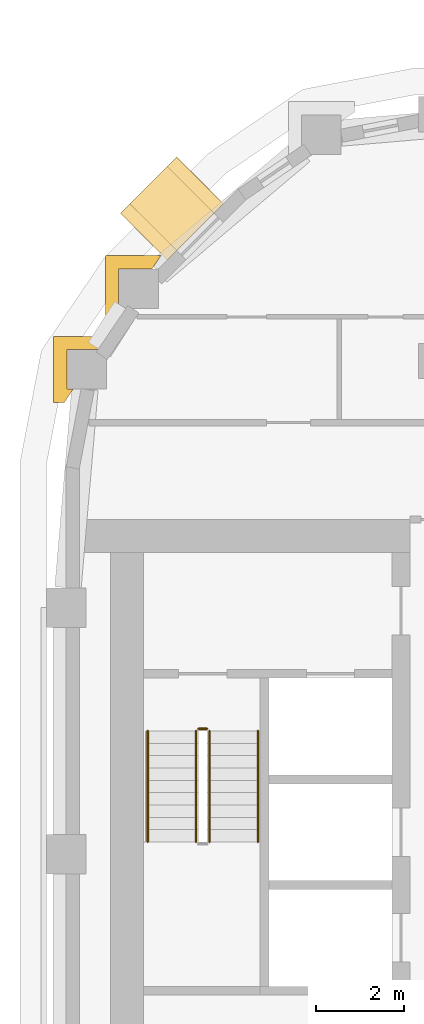
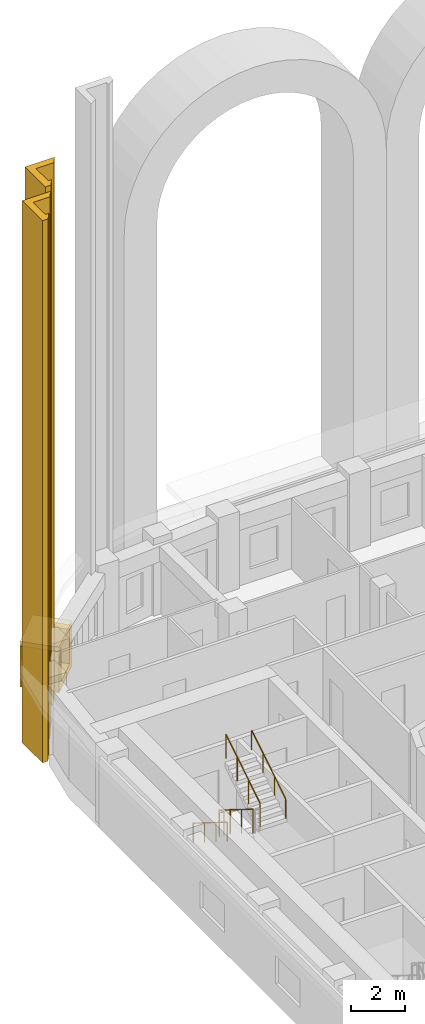
# One storey, part 18 of 20: 5 railings, 4 coverings.
"""IFC4 building model written with IfcOpenShell, lengths in metres."""

from ifc_helpers import new_model, si_unit, direction, frame, origin, origin_2d, place, context, subcontext, project, spatial, polyline, rectangle, circle, outline, extrude, material, layer, layer_set, type_object, element, save


model = new_model("IFC4")

# Units and contexts
model_context = context("Model", 3, precision=1e-05, world=origin(), true_north=direction((0.0, 1.0)))
body_context = subcontext(model_context, "Body", "Model", "MODEL_VIEW")
ifc_project = project(units=[si_unit("LENGTHUNIT", "METRE"), si_unit("AREAUNIT", "SQUARE_METRE"), si_unit("VOLUMEUNIT", "CUBIC_METRE"), si_unit("PLANEANGLEUNIT", "RADIAN"), si_unit("MASSUNIT", "GRAM", prefix="KILO")], contexts=[model_context])

# Site, building, storey
site_placement = place(None, origin())
site = spatial("IfcSite", under=ifc_project, at=site_placement, CompositionType="ELEMENT")
building_placement = place(site_placement, origin())
building = spatial("IfcBuilding", under=site, at=building_placement, Name="Kiln Ring Residences", CompositionType="ELEMENT")
storey_placement = place(building_placement, frame((0.0, 0.0, 188.89990234375)))
storey = spatial("IfcBuildingStorey", under=building, at=storey_placement, Name="L48", CompositionType="ELEMENT", Elevation=188.89990234375)

# Railings
ifc_material_1 = material(Name="Stainless steel", Category="steel")
railing_type_1 = type_object("IfcRailingType", Name="CORE-STAIR-GUARD", PredefinedType="GUARDRAIL", material=ifc_material_1)
railing_1_placement = place(storey_placement, frame((-22.25, 8.39990234375, 0.175048828125)))
element("IfcRailing", 1, at=railing_1_placement, inside=storey, type_object=railing_type_1, Name="L48 W-STN stair guard 1", PredefinedType="GUARDRAIL", context=body_context, shape_type="SweptSolid", body=[
    extrude(circle(Radius=0.02392578125, at=origin_2d()), frame((0.0, 0.0, 1.076171875), z_axis=(0.0, -0.848007534815, 0.529984170421), x_axis=(1.0, 0.0, 0.0)), (0.0, 0.0, 1.0), 2.9716796875),
    extrude(circle(Radius=0.02099609375, at=origin_2d()), origin(), (0.0, 0.0, 1.0), 1.052001953125),
    extrude(circle(Radius=0.02099609375, at=origin_2d()), frame((0.0, -0.840087890625, 0.52490234375)), (0.0, 0.0, 1.0), 1.052001953125),
    extrude(circle(Radius=0.02099609375, at=origin_2d()), frame((0.0, -1.679931640625, 1.050048828125)), (0.0, 0.0, 1.0), 1.052001953125),
    extrude(circle(Radius=0.02099609375, at=origin_2d()), frame((0.0, -2.52001953125, 1.574951171875)), (0.0, 0.0, 1.0), 1.052001953125),
])
railing_2_placement = place(storey_placement, frame((-21.949951171875, 5.8798828125, 1.925048828125)))
element("IfcRailing", 2, at=railing_2_placement, inside=storey, type_object=railing_type_1, Name="L48 W-STN stair guard 3", PredefinedType="GUARDRAIL", context=body_context, shape_type="SweptSolid", body=[
    extrude(circle(Radius=0.02392578125, at=origin_2d()), frame((0.0, 0.0, 1.076171875), z_axis=(0.0, 0.848007534815, 0.529984170421), x_axis=(-1.0, 0.0, 0.0)), (0.0, 0.0, 1.0), 2.9716796875),
    extrude(circle(Radius=0.02099609375, at=origin_2d()), origin(), (0.0, 0.0, 1.0), 1.052001953125),
    extrude(circle(Radius=0.02099609375, at=origin_2d()), frame((0.0, 0.840087890625, 0.52490234375)), (0.0, 0.0, 1.0), 1.052001953125),
    extrude(circle(Radius=0.02099609375, at=origin_2d()), frame((0.0, 1.679931640625, 1.050048828125)), (0.0, 0.0, 1.0), 1.052001953125),
    extrude(circle(Radius=0.02099609375, at=origin_2d()), frame((0.0, 2.52001953125, 1.574951171875)), (0.0, 0.0, 1.0), 1.052001953125),
])
railing_3_placement = place(storey_placement, frame((-22.199951171875, 8.449951171875, 0.0)))
element("IfcRailing", 3, at=railing_3_placement, inside=storey, type_object=railing_type_1, Name="L48 W-STN stair guard 4", PredefinedType="GUARDRAIL", context=body_context, shape_type="SweptSolid", body=[
    extrude(circle(Radius=0.02392578125, at=origin_2d()), frame((0.0, 0.0, 1.076171875), z_axis=(1.0, 0.0, 0.0), x_axis=(0.0, 1.0, 0.0)), (0.0, 0.0, 1.0), 0.199951171875),
    extrude(circle(Radius=0.02099609375, at=origin_2d()), origin(), (0.0, 0.0, 1.0), 1.052001953125),
    extrude(circle(Radius=0.02099609375, at=origin_2d()), frame((0.199951171875, 0.0, 0.0)), (0.0, 0.0, 1.0), 1.052001953125),
])
ifc_material_2 = material(Name="Stainless steel", Category="steel")
railing_type_2 = type_object("IfcRailingType", Name="CORE-STAIR-HANDRAIL", PredefinedType="HANDRAIL", material=ifc_material_2)
railing_4_placement = place(storey_placement, frame((-23.35009765625, 8.39990234375, 0.175048828125)))
element("IfcRailing", 4, at=railing_4_placement, inside=storey, type_object=railing_type_2, Name="L48 W-STN stair handrail 1", PredefinedType="HANDRAIL", context=body_context, shape_type="SweptSolid", body=[
    extrude(circle(Radius=0.02392578125, at=origin_2d()), frame((0.0, 0.0, 0.8759765625), z_axis=(0.0, -0.848007534815, 0.529984170421), x_axis=(1.0, 0.0, 0.0)), (0.0, 0.0, 1.0), 2.9716796875),
    extrude(circle(Radius=0.02099609375, at=origin_2d()), origin(), (0.0, 0.0, 1.0), 0.851806640625),
    extrude(circle(Radius=0.02099609375, at=origin_2d()), frame((0.0, -0.840087890625, 0.52490234375)), (0.0, 0.0, 1.0), 0.851806640625),
    extrude(circle(Radius=0.02099609375, at=origin_2d()), frame((0.0, -1.679931640625, 1.050048828125)), (0.0, 0.0, 1.0), 0.851806640625),
    extrude(circle(Radius=0.02099609375, at=origin_2d()), frame((0.0, -2.52001953125, 1.574951171875)), (0.0, 0.0, 1.0), 0.851806640625),
])
railing_5_placement = place(storey_placement, frame((-20.85009765625, 5.8798828125, 1.925048828125)))
element("IfcRailing", 5, at=railing_5_placement, inside=storey, type_object=railing_type_2, Name="L48 W-STN stair handrail 2", PredefinedType="HANDRAIL", context=body_context, shape_type="SweptSolid", body=[
    extrude(circle(Radius=0.02392578125, at=origin_2d()), frame((0.0, 0.0, 0.8759765625), z_axis=(0.0, 0.848007534815, 0.529984170421), x_axis=(-1.0, 0.0, 0.0)), (0.0, 0.0, 1.0), 2.9716796875),
    extrude(circle(Radius=0.02099609375, at=origin_2d()), origin(), (0.0, 0.0, 1.0), 0.851806640625),
    extrude(circle(Radius=0.02099609375, at=origin_2d()), frame((0.0, 0.840087890625, 0.52490234375)), (0.0, 0.0, 1.0), 0.851806640625),
    extrude(circle(Radius=0.02099609375, at=origin_2d()), frame((0.0, 1.679931640625, 1.050048828125)), (0.0, 0.0, 1.0), 0.851806640625),
    extrude(circle(Radius=0.02099609375, at=origin_2d()), frame((0.0, 2.52001953125, 1.574951171875)), (0.0, 0.0, 1.0), 0.851806640625),
])

# Coverings
ifc_material_3 = material(Name="Brick masonry, dark clay brick", Category="masonry")
ifc_layer_1 = layer(ifc_material_3, 0.300048828125)
ifc_layer_set_1 = layer_set([ifc_layer_1], Name="FRAME CHEEKS AND SILL 1500")
covering_type_1 = type_object("IfcCoveringType", Name="FRAME CHEEKS AND SILL 1500", PredefinedType="CLADDING", material=ifc_layer_set_1)
covering_1_placement = place(storey_placement, frame((-22.163330078125, 20.8974609375, 0.300048828125), z_axis=(0.0, 0.0, 1.0), x_axis=(-0.707038962956, -0.707174592913, 0.0)))
element("IfcCovering", 6, at=covering_1_placement, inside=storey, type_object=covering_type_1, Name="FRAME L48", PredefinedType="CLADDING", context=body_context, shape_type="SweptSolid", body=[
    extrude(outline(polyline([(0.0, 0.0), (1.800048828125, 0.0), (1.800048828125, 1.85009765625), (1.5009765625, 1.85009765625), (1.5, 0.300048828125), (0.300048828125, 0.300048828125), (0.299072265625, 1.85009765625), (0.0, 1.85009765625), (0.0, 0.0)])), frame((0.0, 0.75, 0.0), z_axis=(0.0, -1.0, 0.0), x_axis=(1.0, 0.0, 0.0)), (0.0, 0.0, 1.0), 1.5),
])
ifc_material_4 = material(Name="Brick masonry, dark clay brick", Category="masonry")
ifc_layer_2 = layer(ifc_material_4, 0.199951171875)
ifc_layer_set_2 = layer_set([ifc_layer_2], Name="FRAME HEAD 1500")
covering_type_2 = type_object("IfcCoveringType", Name="FRAME HEAD 1500", PredefinedType="CLADDING", material=ifc_layer_set_2)
covering_2_placement = place(storey_placement, frame((-22.799560546875, 20.260986328125, 2.14990234375), z_axis=(0.0, 0.0, 1.0), x_axis=(-0.707106781187, -0.707106781187, 0.0)))
element("IfcCovering", 7, at=covering_2_placement, inside=storey, type_object=covering_type_2, Name="FRAME HEAD L48", PredefinedType="CLADDING", context=body_context, shape_type="SweptSolid", body=[
    extrude(rectangle(XDim=1.800048828125, YDim=1.5, at=origin_2d()), origin(), (0.0, 0.0, 1.0), 0.199951171875),
])
ifc_material_5 = material(Name="Brick masonry, dark clay brick", Category="masonry")
ifc_layer_3 = layer(ifc_material_5, 0.300048828125)
ifc_layer_set_3 = layer_set([ifc_layer_3], Name="PIER CLADDING 300")
covering_type_3 = type_object("IfcCoveringType", Name="PIER CLADDING 300", PredefinedType="CLADDING", material=ifc_layer_set_3)
placement = place(storey_placement, origin())
element("IfcCovering", 8, at=placement, inside=storey, type_object=covering_type_3, Name="PIER CLADDING L48-L54", PredefinedType="CLADDING", context=body_context, shape_type="SweptSolid", body=[
    extrude(outline(polyline([(-23.050048828125, 19.190185546875), (-24.309814453125, 19.190185546875), (-24.309814453125, 17.690185546875), (-24.069580078125, 17.690185546875), (-23.865478515625, 17.990234375), (-24.009765625, 17.990234375), (-24.009765625, 18.89013671875), (-23.25390625, 18.89013671875), (-23.050048828125, 19.190185546875)])), origin(), (0.0, 0.0, 1.0), 24.5),
])
element("IfcCovering", 9, at=placement, inside=storey, type_object=covering_type_3, Name="PIER CLADDING L48-L54", PredefinedType="CLADDING", context=body_context, shape_type="SweptSolid", body=[
    extrude(outline(polyline([(-24.276611328125, 17.358642578125), (-25.488037109375, 17.358642578125), (-25.488037109375, 15.858642578125), (-25.247802734375, 15.858642578125), (-25.0439453125, 16.15869140625), (-25.18798828125, 16.15869140625), (-25.18798828125, 17.05859375), (-24.48046875, 17.05859375), (-24.276611328125, 17.358642578125)])), origin(), (0.0, 0.0, 1.0), 24.5),
])

save(model, "model.ifc")
